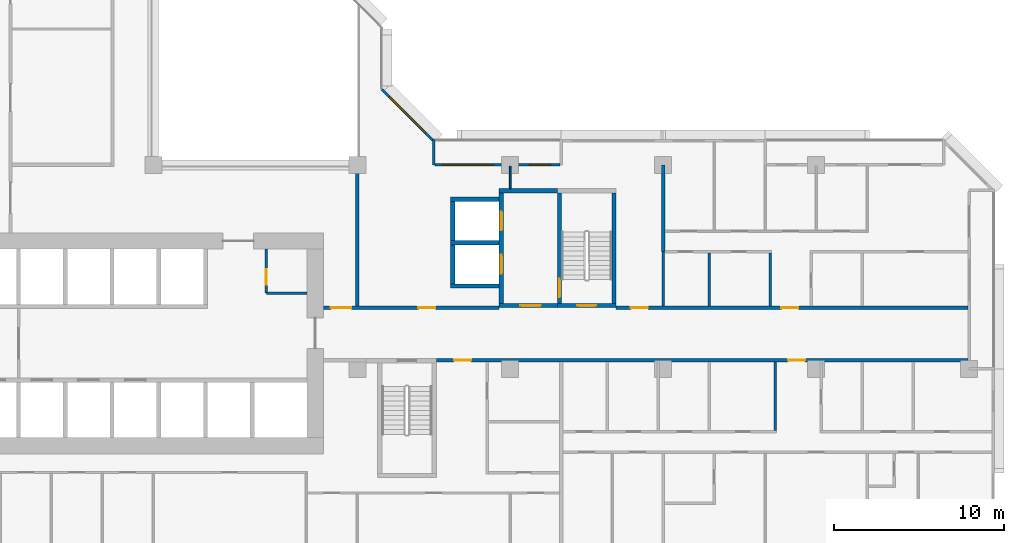
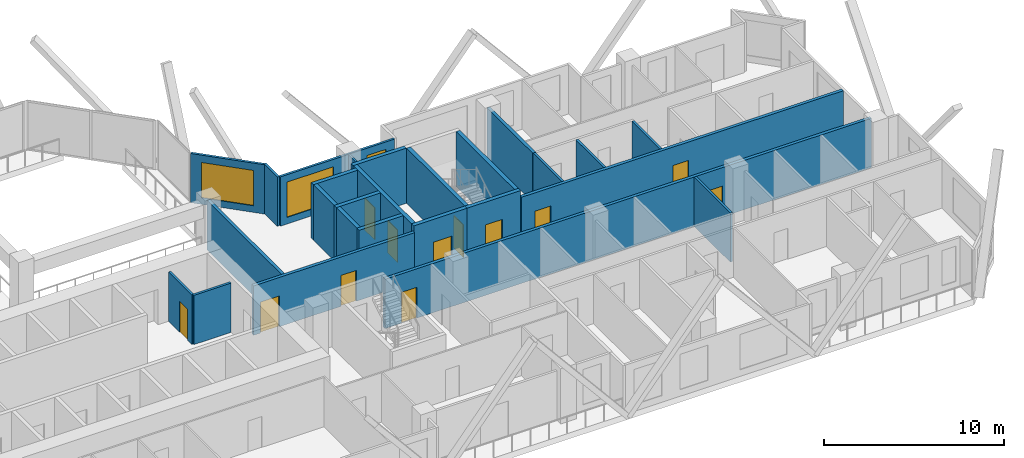
# One storey, part 7 of 15: 26 walls, 12 doors, 3 windows, 15 openings.
"""IFC4 building model written with IfcOpenShell, lengths in metres."""

from ifc_helpers import new_model, si_unit, direction, frame, frame_2d, origin, place, context, subcontext, project, spatial, rectangle, extrude, material, layer, layer_set, type_object, element, fill, save


model = new_model("IFC4")

# Units and contexts
model_context = context("Model", 3, precision=1e-05, world=origin(), true_north=direction((0.0, 1.0)))
body_context = subcontext(model_context, "Body", "Model", "MODEL_VIEW")
ifc_project = project(units=[si_unit("LENGTHUNIT", "METRE"), si_unit("AREAUNIT", "SQUARE_METRE"), si_unit("VOLUMEUNIT", "CUBIC_METRE"), si_unit("PLANEANGLEUNIT", "RADIAN"), si_unit("MASSUNIT", "GRAM", prefix="KILO")], contexts=[model_context])

# Site, building, storey
site_placement = place(None, origin())
site = spatial("IfcSite", under=ifc_project, at=site_placement, CompositionType="ELEMENT")
building_placement = place(site_placement, origin())
building = spatial("IfcBuilding", under=site, at=building_placement, Name="Chenar Terraces", CompositionType="ELEMENT")
storey_placement = place(building_placement, frame((0.0, 0.0, 114.39990234375)))
storey = spatial("IfcBuildingStorey", under=building, at=storey_placement, Name="L26", CompositionType="ELEMENT", Elevation=114.39990234375)

# Wall, opening, door
ifc_material_1 = material(Name="Gypsum board on steel studs", Category="steel")
ifc_layer_1 = layer(ifc_material_1, 0.14990234375)
ifc_layer_set_1 = layer_set([ifc_layer_1], Name="Gypsum board on steel studs")
wall_type_1 = type_object("IfcWallType", Name="Core partition 150 gypsum board", PredefinedType="PARTITIONING", material=ifc_layer_set_1)
wall_1_placement = place(storey_placement, frame((30.64990234375, 16.449951171875, 0.0), z_axis=(0.0, 0.0, 1.0), x_axis=(0.0, 1.0, 0.0)))
wall_1 = element("IfcWall", 1, at=wall_1_placement, inside=storey, type_object=wall_type_1, Name="Core partition CP1 vestibule room west wall", PredefinedType="PARTITIONING", context=body_context, shape_type="SweptSolid", body=[
    extrude(rectangle(XDim=2.60009765625, YDim=0.14990234375, at=frame_2d((1.300048828125, 0.0))), origin(), (0.0, 0.0, 1.0), 3.35009765625),
])
opening_1_placement = place(wall_1_placement, frame((0.5, 0.0, 0.0)))
opening_1 = element("IfcOpeningElement", 2, at=opening_1_placement, cuts=wall_1, Name="Opening DL26-C13", PredefinedType="OPENING", context=body_context, shape_type="SweptSolid", body=[
    extrude(rectangle(XDim=0.89990234375, YDim=2.10009765625, at=frame_2d((0.449951171875, 1.050048828125))), frame((0.0, 0.0849609375, 0.0), z_axis=(0.0, -1.0, 0.0), x_axis=(1.0, 0.0, 0.0)), (0.0, 0.0, 1.0), 0.169921875),
])
ifc_material_2 = material(Name="Steel-framed fire-resisting door leaf", Category="steel")
door_type_1 = type_object("IfcDoorType", Name="Riser fire door FD60 900 x 2100", OperationType="SINGLE_SWING_LEFT", PredefinedType="DOOR", material=ifc_material_2)
door_1_placement = place(opening_1_placement, frame((0.89990234375, 0.0, 0.0), z_axis=(0.0, 0.0, 1.0), x_axis=(-1.0, 0.0, 0.0)))
door_1 = element("IfcDoor", 3, at=door_1_placement, inside=storey, type_object=door_type_1, Name="Core room door DL26-C13", OperationType="SINGLE_SWING_RIGHT", OverallHeight=2.10009765625, OverallWidth=0.89990234375, PredefinedType="DOOR", context=body_context, shape_type="SweptSolid", body=[
    extrude(rectangle(XDim=0.89990234375, YDim=2.10009765625, at=frame_2d((0.449951171875, 1.050048828125))), frame((0.0, 0.02490234375, 0.0), z_axis=(0.0, -1.0, 0.0), x_axis=(1.0, 0.0, 0.0)), (0.0, 0.0, 1.0), 0.050048828125),
])
fill(opening_1, door_1)

# Wall
wall_2_placement = place(storey_placement, frame((30.64990234375, 16.449951171875, 0.0), z_axis=(0.0, 0.0, 1.0), x_axis=(1.0, 0.0, 0.0)))
element("IfcWall", 4, at=wall_2_placement, inside=storey, type_object=wall_type_1, Name="Core partition CP1 vestibule room south wall", PredefinedType="PARTITIONING", context=body_context, shape_type="SweptSolid", body=[
    extrude(rectangle(XDim=2.400146484375, YDim=0.14990234375, at=frame_2d((1.2001953125, 0.0))), origin(), (0.0, 0.0, 1.0), 3.35009765625),
])

# Wall, opening, door
ifc_material_3 = material(Name="Concrete C70/85", Category="concrete")
ifc_layer_2 = layer(ifc_material_3, 0.25)
ifc_layer_set_2 = layer_set([ifc_layer_2], Name="Concrete C70/85")
wall_type_2 = type_object("IfcWallType", Name="Core wall 250 Concrete C70/85", PredefinedType="SHEAR", material=ifc_layer_set_2)
wall_3_placement = place(storey_placement, frame((47.77490234375, 15.72509765625, 0.0), z_axis=(0.0, 0.0, 1.0), x_axis=(1.0, 0.0, 0.0)))
wall_3 = element("IfcWall", 5, at=wall_3_placement, inside=storey, type_object=wall_type_2, Name="Core wall ST3_S L26", PredefinedType="SHEAR", context=body_context, shape_type="SweptSolid", body=[
    extrude(rectangle(XDim=3.4501953125, YDim=0.25, at=frame_2d((1.72509765625, 0.0))), origin(), (0.0, 0.0, 1.0), 3.75),
])
opening_2_placement = place(wall_3_placement, frame((1.175048828125, 0.0, 0.0)))
opening_2 = element("IfcOpeningElement", 6, at=opening_2_placement, cuts=wall_3, Name="Opening DL26-C8", PredefinedType="OPENING", context=body_context, shape_type="SweptSolid", body=[
    extrude(rectangle(XDim=1.10009765625, YDim=2.199951171875, at=frame_2d((0.550048828125, 1.10009765625))), frame((0.0, 0.135009765625, 0.0), z_axis=(0.0, -1.0, 0.0), x_axis=(1.0, 0.0, 0.0)), (0.0, 0.0, 1.0), 0.27001953125),
])
ifc_material_4 = material(Name="Steel-framed fire-resisting door leaf", Category="steel")
door_type_2 = type_object("IfcDoorType", Name="Stair fire door FD60 1100 x 2200", OperationType="SINGLE_SWING_LEFT", PredefinedType="DOOR", material=ifc_material_4)
door_2_placement = place(opening_2_placement, frame((1.10009765625, 0.0, 0.0), z_axis=(0.0, 0.0, 1.0), x_axis=(-1.0, 0.0, 0.0)))
door_2 = element("IfcDoor", 7, at=door_2_placement, inside=storey, type_object=door_type_2, Name="Stair door DL26-C8", OperationType="SINGLE_SWING_LEFT", OverallHeight=2.199951171875, OverallWidth=1.10009765625, PredefinedType="DOOR", context=body_context, shape_type="SweptSolid", body=[
    extrude(rectangle(XDim=1.10009765625, YDim=2.199951171875, at=frame_2d((0.550048828125, 1.10009765625))), frame((0.0, 0.02490234375, 0.0), z_axis=(0.0, -1.0, 0.0), x_axis=(1.0, 0.0, 0.0)), (0.0, 0.0, 1.0), 0.050048828125),
])
fill(opening_2, door_2)

wall_4_placement = place(storey_placement, frame((47.89990234375, 15.85009765625, 0.0), z_axis=(0.0, 0.0, 1.0), x_axis=(0.0, 1.0, 0.0)))
wall_4 = element("IfcWall", 8, at=wall_4_placement, inside=storey, type_object=wall_type_2, Name="Core wall ST3_W L26", PredefinedType="SHEAR", context=body_context, shape_type="SweptSolid", body=[
    extrude(rectangle(XDim=6.5, YDim=0.25, at=frame_2d((3.25, 0.0))), origin(), (0.0, 0.0, 1.0), 3.75),
])
opening_3_placement = place(wall_4_placement, frame((0.35009765625, 0.0, 0.0)))
opening_3 = element("IfcOpeningElement", 9, at=opening_3_placement, cuts=wall_4, Name="Opening DL26-C11", PredefinedType="OPENING", context=body_context, shape_type="SweptSolid", body=[
    extrude(rectangle(XDim=1.10009765625, YDim=2.199951171875, at=frame_2d((0.550048828125, 1.10009765625))), frame((0.0, 0.135009765625, 0.0), z_axis=(0.0, -1.0, 0.0), x_axis=(1.0, 0.0, 0.0)), (0.0, 0.0, 1.0), 0.27001953125),
])
door_3_placement = place(opening_3_placement, frame((1.10009765625, 0.0, 0.0), z_axis=(0.0, 0.0, 1.0), x_axis=(-1.0, 0.0, 0.0)))
door_3 = element("IfcDoor", 10, at=door_3_placement, inside=storey, type_object=door_type_2, Name="Stair door DL26-C11", OperationType="SINGLE_SWING_RIGHT", OverallHeight=2.199951171875, OverallWidth=1.10009765625, PredefinedType="DOOR", context=body_context, shape_type="SweptSolid", body=[
    extrude(rectangle(XDim=1.10009765625, YDim=2.199951171875, at=frame_2d((0.550048828125, 1.10009765625))), frame((0.0, 0.02490234375, 0.0), z_axis=(0.0, -1.0, 0.0), x_axis=(1.0, 0.0, 0.0)), (0.0, 0.0, 1.0), 0.050048828125),
])
fill(opening_3, door_3)

# Wall
wall_5_placement = place(storey_placement, frame((51.10009765625, 15.85009765625, 0.0), z_axis=(0.0, 0.0, 1.0), x_axis=(0.0, 1.0, 0.0)))
element("IfcWall", 11, at=wall_5_placement, inside=storey, type_object=wall_type_2, Name="Core wall ST3_E L26", PredefinedType="SHEAR", context=body_context, shape_type="SweptSolid", body=[
    extrude(rectangle(XDim=6.5, YDim=0.25, at=frame_2d((3.25, 0.0))), origin(), (0.0, 0.0, 1.0), 3.75),
])

# Wall, opening, door
wall_6_placement = place(storey_placement, frame((44.35009765625, 15.72509765625, 0.0), z_axis=(0.0, 0.0, 1.0), x_axis=(1.0, 0.0, 0.0)))
wall_6 = element("IfcWall", 12, at=wall_6_placement, inside=storey, type_object=wall_type_2, Name="Core wall F3_LS L26", PredefinedType="SHEAR", context=body_context, shape_type="SweptSolid", body=[
    extrude(rectangle(XDim=3.4248046875, YDim=0.25, at=frame_2d((1.71240234375, 0.0))), origin(), (0.0, 0.0, 1.0), 3.75),
])
opening_4_placement = place(wall_6_placement, frame((1.25, 0.0, 0.0)))
opening_4 = element("IfcOpeningElement", 13, at=opening_4_placement, cuts=wall_6, Name="Opening DL26-C10", PredefinedType="OPENING", context=body_context, shape_type="SweptSolid", body=[
    extrude(rectangle(XDim=1.199951171875, YDim=2.199951171875, at=frame_2d((0.60009765625, 1.10009765625))), frame((0.0, 0.135009765625, 0.0), z_axis=(0.0, -1.0, 0.0), x_axis=(1.0, 0.0, 0.0)), (0.0, 0.0, 1.0), 0.27001953125),
])
ifc_material_5 = material(Name="Steel-framed fire-resisting door leaf", Category="steel")
door_type_3 = type_object("IfcDoorType", Name="Lobby fire door FD60 1200 x 2200", OperationType="SINGLE_SWING_LEFT", PredefinedType="DOOR", material=ifc_material_5)
door_4_placement = place(opening_4_placement, origin())
door_4 = element("IfcDoor", 14, at=door_4_placement, inside=storey, type_object=door_type_3, Name="Core door DL26-C10", OperationType="SINGLE_SWING_RIGHT", OverallHeight=2.199951171875, OverallWidth=1.199951171875, PredefinedType="DOOR", context=body_context, shape_type="SweptSolid", body=[
    extrude(rectangle(XDim=1.199951171875, YDim=2.199951171875, at=frame_2d((0.60009765625, 1.10009765625))), frame((0.0, 0.02490234375, 0.0), z_axis=(0.0, -1.0, 0.0), x_axis=(1.0, 0.0, 0.0)), (0.0, 0.0, 1.0), 0.050048828125),
])
fill(opening_4, door_4)

# Wall
wall_7_placement = place(storey_placement, frame((44.35009765625, 22.47509765625, 0.0), z_axis=(0.0, 0.0, 1.0), x_axis=(1.0, 0.0, 0.0)))
element("IfcWall", 15, at=wall_7_placement, inside=storey, type_object=wall_type_2, Name="Core wall F3_LN L26", PredefinedType="SHEAR", context=body_context, shape_type="SweptSolid", body=[
    extrude(rectangle(XDim=3.4248046875, YDim=0.25, at=frame_2d((1.71240234375, 0.0))), origin(), (0.0, 0.0, 1.0), 3.75),
])

# Wall, openings, doors
wall_8_placement = place(storey_placement, frame((44.47509765625, 15.85009765625, 0.0), z_axis=(0.0, 0.0, 1.0), x_axis=(0.0, 1.0, 0.0)))
wall_8 = element("IfcWall", 16, at=wall_8_placement, inside=storey, type_object=wall_type_2, Name="Core wall F3_LW L26", PredefinedType="SHEAR", context=body_context, shape_type="SweptSolid", body=[
    extrude(rectangle(XDim=6.5, YDim=0.25, at=frame_2d((3.25, 0.0))), origin(), (0.0, 0.0, 1.0), 3.75),
])
opening_5_placement = place(wall_8_placement, frame((1.75, 0.0, 0.0)))
opening_5 = element("IfcOpeningElement", 17, at=opening_5_placement, cuts=wall_8, Name="Opening DL26-LD8", PredefinedType="OPENING", context=body_context, shape_type="SweptSolid", body=[
    extrude(rectangle(XDim=1.10009765625, YDim=2.199951171875, at=frame_2d((0.550048828125, 1.10009765625))), frame((0.0, 0.135009765625, 0.0), z_axis=(0.0, -1.0, 0.0), x_axis=(1.0, 0.0, 0.0)), (0.0, 0.0, 1.0), 0.27001953125),
])
opening_6_placement = place(wall_8_placement, frame((4.300048828125, 0.0, 0.0)))
opening_6 = element("IfcOpeningElement", 18, at=opening_6_placement, cuts=wall_8, Name="Opening DL26-LD9", PredefinedType="OPENING", context=body_context, shape_type="SweptSolid", body=[
    extrude(rectangle(XDim=1.10009765625, YDim=2.199951171875, at=frame_2d((0.550048828125, 1.10009765625))), frame((0.0, 0.135009765625, 0.0), z_axis=(0.0, -1.0, 0.0), x_axis=(1.0, 0.0, 0.0)), (0.0, 0.0, 1.0), 0.27001953125),
])
ifc_material_6 = material(Name="Stainless steel", Category="steel")
door_type_4 = type_object("IfcDoorType", Name="Lift landing door 1100 x 2200 sliding", OperationType="DOUBLE_DOOR_SLIDING", PredefinedType="DOOR", material=ifc_material_6)
door_5_placement = place(opening_5_placement, origin())
door_5 = element("IfcDoor", 19, at=door_5_placement, inside=storey, type_object=door_type_4, Name="Landing door F3", OperationType="DOUBLE_DOOR_SLIDING", OverallHeight=2.199951171875, OverallWidth=1.10009765625, PredefinedType="DOOR", context=body_context, shape_type="SweptSolid", body=[
    extrude(rectangle(XDim=1.10009765625, YDim=2.199951171875, at=frame_2d((0.550048828125, 1.10009765625))), frame((0.0, 0.02490234375, 0.0), z_axis=(0.0, -1.0, 0.0), x_axis=(1.0, 0.0, 0.0)), (0.0, 0.0, 1.0), 0.050048828125),
])
fill(opening_5, door_5)
door_6_placement = place(opening_6_placement, origin())
door_6 = element("IfcDoor", 20, at=door_6_placement, inside=storey, type_object=door_type_4, Name="Landing door F4", OperationType="DOUBLE_DOOR_SLIDING", OverallHeight=2.199951171875, OverallWidth=1.10009765625, PredefinedType="DOOR", context=body_context, shape_type="SweptSolid", body=[
    extrude(rectangle(XDim=1.10009765625, YDim=2.199951171875, at=frame_2d((0.550048828125, 1.10009765625))), frame((0.0, 0.02490234375, 0.0), z_axis=(0.0, -1.0, 0.0), x_axis=(1.0, 0.0, 0.0)), (0.0, 0.0, 1.0), 0.050048828125),
])
fill(opening_6, door_6)

# Walls
for number, where, z_axis, x_axis, name in (
    (21, (41.5, 16.875, 0.0), (0.0, 0.0, 1.0), (1.0, 0.0, 0.0), "Core wall F3_SS L26"),
    (22, (41.5, 19.425048828125, 0.0), (0.0, 0.0, 1.0), (1.0, 0.0, 0.0), "Core wall F3_SM L26"),
    (23, (41.5, 21.97509765625, 0.0), (0.0, 0.0, 1.0), (1.0, 0.0, 0.0), "Core wall F4_SN L26"),
):
    element("IfcWall", number, at=place(storey_placement, frame(where, z_axis=z_axis, x_axis=x_axis)), inside=storey, type_object=wall_type_2, Name=name, PredefinedType="SHEAR", context=body_context, shape_type="SweptSolid", body=[
        extrude(rectangle(XDim=2.85009765625, YDim=0.25, at=frame_2d((1.425048828125, 0.0))), origin(), (0.0, 0.0, 1.0), 3.75),
    ])
for number, where, z_axis, x_axis, name in (
    (24, (41.625, 17.0, 0.0), (0.0, 0.0, 1.0), (0.0, 1.0, 0.0), "Core wall F3_SW L26"),
    (25, (41.625, 19.550048828125, 0.0), (0.0, 0.0, 1.0), (0.0, 1.0, 0.0), "Core wall F4_SW L26"),
):
    element("IfcWall", number, at=place(storey_placement, frame(where, z_axis=z_axis, x_axis=x_axis)), inside=storey, type_object=wall_type_2, Name=name, PredefinedType="SHEAR", context=body_context, shape_type="SweptSolid", body=[
        extrude(rectangle(XDim=2.300048828125, YDim=0.25, at=frame_2d((1.14990234375, 0.0))), origin(), (0.0, 0.0, 1.0), 3.75),
    ])

# Wall, openings, doors
ifc_material_7 = material(Name="Gypsum board on steel studs with fire boards", Category="steel")
ifc_layer_3 = layer(ifc_material_7, 0.199951171875)
ifc_layer_set_3 = layer_set([ifc_layer_3], Name="Gypsum board on steel studs with fire boards")
wall_type_3 = type_object("IfcWallType", Name="Corridor wall 200", PredefinedType="PARTITIONING", material=ifc_layer_set_3)
wall_9_placement = place(storey_placement, frame((34.0, 15.60009765625, 0.0), z_axis=(0.0, 0.0, 1.0), x_axis=(1.0, 0.0, 0.0)))
wall_9 = element("IfcWall", 26, at=wall_9_placement, inside=storey, type_object=wall_type_3, Name="Partition L26-061", PredefinedType="PARTITIONING", context=body_context, shape_type="SweptSolid", body=[
    extrude(rectangle(XDim=10.35009765625, YDim=0.199951171875, at=frame_2d((5.175048828125, 0.0))), origin(), (0.0, 0.0, 1.0), 3.35009765625),
])
opening_7_placement = place(wall_9_placement, frame((5.60009765625, 0.0, 0.0)))
opening_7 = element("IfcOpeningElement", 27, at=opening_7_placement, cuts=wall_9, Name="Opening DL26-3", PredefinedType="OPENING", context=body_context, shape_type="SweptSolid", body=[
    extrude(rectangle(XDim=1.0, YDim=2.10009765625, at=frame_2d((0.5, 1.050048828125))), frame((0.0, 0.10986328125, 0.0), z_axis=(0.0, -1.0, 0.0), x_axis=(1.0, 0.0, 0.0)), (0.0, 0.0, 1.0), 0.219970703125),
])
opening_8_placement = place(wall_9_placement, frame((0.449951171875, 0.0, 0.0)))
opening_8 = element("IfcOpeningElement", 28, at=opening_8_placement, cuts=wall_9, Name="Opening DL26-52", PredefinedType="OPENING", context=body_context, shape_type="SweptSolid", body=[
    extrude(rectangle(XDim=1.199951171875, YDim=2.10009765625, at=frame_2d((0.60009765625, 1.050048828125))), frame((0.0, 0.10986328125, 0.0), z_axis=(0.0, -1.0, 0.0), x_axis=(1.0, 0.0, 0.0)), (0.0, 0.0, 1.0), 0.219970703125),
])
ifc_material_8 = material(Name="Steel-framed fire-resisting door leaf", Category="steel")
door_type_5 = type_object("IfcDoorType", Name="Fire door FD60 1000 x 2100", OperationType="SINGLE_SWING_LEFT", PredefinedType="DOOR", material=ifc_material_8)
door_7_placement = place(opening_7_placement, origin())
door_7 = element("IfcDoor", 29, at=door_7_placement, inside=storey, type_object=door_type_5, Name="Door DL26-3", OperationType="SINGLE_SWING_RIGHT", OverallHeight=2.10009765625, OverallWidth=1.0, PredefinedType="DOOR", context=body_context, shape_type="SweptSolid", body=[
    extrude(rectangle(XDim=1.0, YDim=2.10009765625, at=frame_2d((0.5, 1.050048828125))), frame((0.0, 0.02490234375, 0.0), z_axis=(0.0, -1.0, 0.0), x_axis=(1.0, 0.0, 0.0)), (0.0, 0.0, 1.0), 0.050048828125),
])
fill(opening_7, door_7)
ifc_material_9 = material(Name="Steel-framed fire-resisting door leaf", Category="steel")
door_type_6 = type_object("IfcDoorType", Name="Fire door FD60 1200 x 2100", OperationType="SINGLE_SWING_LEFT", PredefinedType="DOOR", material=ifc_material_9)
door_8_placement = place(opening_8_placement, origin())
door_8 = element("IfcDoor", 30, at=door_8_placement, inside=storey, type_object=door_type_6, Name="Door DL26-52", OperationType="SINGLE_SWING_RIGHT", OverallHeight=2.10009765625, OverallWidth=1.199951171875, PredefinedType="DOOR", context=body_context, shape_type="SweptSolid", body=[
    extrude(rectangle(XDim=1.199951171875, YDim=2.10009765625, at=frame_2d((0.60009765625, 1.050048828125))), frame((0.0, 0.02490234375, 0.0), z_axis=(0.0, -1.0, 0.0), x_axis=(1.0, 0.0, 0.0)), (0.0, 0.0, 1.0), 0.050048828125),
])
fill(opening_8, door_8)

# Wall
wall_10_placement = place(storey_placement, frame((36.0, 15.699951171875, 0.0), z_axis=(0.0, 0.0, 1.0), x_axis=(0.0, 1.0, 0.0)))
element("IfcWall", 31, at=wall_10_placement, inside=storey, type_object=wall_type_3, Name="Partition L26-063", PredefinedType="PARTITIONING", context=body_context, shape_type="SweptSolid", body=[
    extrude(rectangle(XDim=8.300048828125, YDim=0.199951171875, at=frame_2d((4.14990234375, 0.0))), origin(), (0.0, 0.0, 1.0), 3.35009765625),
])

# Wall, openings, doors
wall_11_placement = place(storey_placement, frame((40.64990234375, 12.5, 0.0), z_axis=(0.0, 0.0, 1.0), x_axis=(1.0, 0.0, 0.0)))
wall_11 = element("IfcWall", 32, at=wall_11_placement, inside=storey, type_object=wall_type_3, Name="Partition L26-064", PredefinedType="PARTITIONING", context=body_context, shape_type="SweptSolid", body=[
    extrude(rectangle(XDim=31.276123046875, YDim=0.199951171875, at=frame_2d((15.63818359375, 0.0))), origin(), (0.0, 0.0, 1.0), 3.35009765625),
])
opening_9_placement = place(wall_11_placement, frame((20.699951171875, 0.0, 0.0)))
opening_9 = element("IfcOpeningElement", 33, at=opening_9_placement, cuts=wall_11, Name="Opening DL26-18", PredefinedType="OPENING", context=body_context, shape_type="SweptSolid", body=[
    extrude(rectangle(XDim=1.0, YDim=2.10009765625, at=frame_2d((0.5, 1.050048828125))), frame((0.0, 0.10986328125, 0.0), z_axis=(0.0, -1.0, 0.0), x_axis=(1.0, 0.0, 0.0)), (0.0, 0.0, 1.0), 0.219970703125),
])
opening_10_placement = place(wall_11_placement, frame((1.050048828125, 0.0, 0.0)))
opening_10 = element("IfcOpeningElement", 34, at=opening_10_placement, cuts=wall_11, Name="Opening DL26-66", PredefinedType="OPENING", context=body_context, shape_type="SweptSolid", body=[
    extrude(rectangle(XDim=1.0, YDim=2.10009765625, at=frame_2d((0.5, 1.050048828125))), frame((0.0, 0.10986328125, 0.0), z_axis=(0.0, -1.0, 0.0), x_axis=(1.0, 0.0, 0.0)), (0.0, 0.0, 1.0), 0.219970703125),
])
ifc_material_10 = material(Name="Steel-framed fire-resisting door leaf", Category="steel")
door_type_7 = type_object("IfcDoorType", Name="Fire door FD30S 1000 x 2100", OperationType="SINGLE_SWING_LEFT", PredefinedType="DOOR", material=ifc_material_10)
door_9_placement = place(opening_9_placement, frame((1.0, 0.0, 0.0), z_axis=(0.0, 0.0, 1.0), x_axis=(-1.0, 0.0, 0.0)))
door_9 = element("IfcDoor", 35, at=door_9_placement, inside=storey, type_object=door_type_7, Name="Door DL26-18", OperationType="SINGLE_SWING_LEFT", OverallHeight=2.10009765625, OverallWidth=1.0, PredefinedType="DOOR", context=body_context, shape_type="SweptSolid", body=[
    extrude(rectangle(XDim=1.0, YDim=2.10009765625, at=frame_2d((0.5, 1.050048828125))), frame((0.0, 0.02490234375, 0.0), z_axis=(0.0, -1.0, 0.0), x_axis=(1.0, 0.0, 0.0)), (0.0, 0.0, 1.0), 0.050048828125),
])
fill(opening_9, door_9)
door_10_placement = place(opening_10_placement, origin())
door_10 = element("IfcDoor", 36, at=door_10_placement, inside=storey, type_object=door_type_7, Name="Door DL26-66", OperationType="SINGLE_SWING_RIGHT", OverallHeight=2.10009765625, OverallWidth=1.0, PredefinedType="DOOR", context=body_context, shape_type="SweptSolid", body=[
    extrude(rectangle(XDim=1.0, YDim=2.10009765625, at=frame_2d((0.5, 1.050048828125))), frame((0.0, 0.02490234375, 0.0), z_axis=(0.0, -1.0, 0.0), x_axis=(1.0, 0.0, 0.0)), (0.0, 0.0, 1.0), 0.050048828125),
])
fill(opening_10, door_10)

wall_12_placement = place(storey_placement, frame((51.22509765625, 15.60009765625, 0.0), z_axis=(0.0, 0.0, 1.0), x_axis=(1.0, 0.0, 0.0)))
wall_12 = element("IfcWall", 37, at=wall_12_placement, inside=storey, type_object=wall_type_3, Name="Partition L26-075", PredefinedType="PARTITIONING", context=body_context, shape_type="SweptSolid", body=[
    extrude(rectangle(XDim=20.700927734375, YDim=0.199951171875, at=frame_2d((10.3505859375, 0.0))), origin(), (0.0, 0.0, 1.0), 3.35009765625),
])
opening_11_placement = place(wall_12_placement, frame((9.72509765625, 0.0, 0.0)))
opening_11 = element("IfcOpeningElement", 38, at=opening_11_placement, cuts=wall_12, Name="Opening DL26-10", PredefinedType="OPENING", context=body_context, shape_type="SweptSolid", body=[
    extrude(rectangle(XDim=1.0, YDim=2.10009765625, at=frame_2d((0.5, 1.050048828125))), frame((0.0, 0.10986328125, 0.0), z_axis=(0.0, -1.0, 0.0), x_axis=(1.0, 0.0, 0.0)), (0.0, 0.0, 1.0), 0.219970703125),
])
opening_12_placement = place(wall_12_placement, frame((0.875, 0.0, 0.0)))
opening_12 = element("IfcOpeningElement", 39, at=opening_12_placement, cuts=wall_12, Name="Opening DL26-55", PredefinedType="OPENING", context=body_context, shape_type="SweptSolid", body=[
    extrude(rectangle(XDim=1.0, YDim=2.10009765625, at=frame_2d((0.5, 1.050048828125))), frame((0.0, 0.10986328125, 0.0), z_axis=(0.0, -1.0, 0.0), x_axis=(1.0, 0.0, 0.0)), (0.0, 0.0, 1.0), 0.219970703125),
])
door_11_placement = place(opening_11_placement, origin())
door_11 = element("IfcDoor", 40, at=door_11_placement, inside=storey, type_object=door_type_7, Name="Door DL26-10", OperationType="SINGLE_SWING_LEFT", OverallHeight=2.10009765625, OverallWidth=1.0, PredefinedType="DOOR", context=body_context, shape_type="SweptSolid", body=[
    extrude(rectangle(XDim=1.0, YDim=2.10009765625, at=frame_2d((0.5, 1.050048828125))), frame((0.0, 0.02490234375, 0.0), z_axis=(0.0, -1.0, 0.0), x_axis=(1.0, 0.0, 0.0)), (0.0, 0.0, 1.0), 0.050048828125),
])
fill(opening_11, door_11)
door_12_placement = place(opening_12_placement, origin())
door_12 = element("IfcDoor", 41, at=door_12_placement, inside=storey, type_object=door_type_7, Name="Door DL26-55", OperationType="SINGLE_SWING_RIGHT", OverallHeight=2.10009765625, OverallWidth=1.0, PredefinedType="DOOR", context=body_context, shape_type="SweptSolid", body=[
    extrude(rectangle(XDim=1.0, YDim=2.10009765625, at=frame_2d((0.5, 1.050048828125))), frame((0.0, 0.02490234375, 0.0), z_axis=(0.0, -1.0, 0.0), x_axis=(1.0, 0.0, 0.0)), (0.0, 0.0, 1.0), 0.050048828125),
])
fill(opening_12, door_12)

# Wall, openings, windows
ifc_material_11 = material(Name="Aluminium framed glazing", Category="aluminium")
ifc_layer_4 = layer(ifc_material_11, 0.14990234375)
ifc_layer_set_4 = layer_set([ifc_layer_4], Name="Aluminium framed glazing")
wall_type_4 = type_object("IfcWallType", Name="Glazed loggia back wall 150", PredefinedType="SOLIDWALL", material=ifc_layer_set_4)
wall_13_placement = place(storey_placement, frame((47.925048828125, 24.0, 0.0), z_axis=(0.0, 0.0, 1.0), x_axis=(-1.0, 0.0, 0.0)))
wall_13 = element("IfcWall", 42, at=wall_13_placement, inside=storey, type_object=wall_type_4, Name="Glazed loggia back wall", PredefinedType="SOLIDWALL", context=body_context, shape_type="SweptSolid", body=[
    extrude(rectangle(XDim=7.35009765625, YDim=0.14990234375, at=frame_2d((3.675048828125, 0.0))), origin(), (0.0, 0.0, 1.0), 3.35009765625),
])
opening_13_placement = place(wall_13_placement, frame((0.5625, 0.0, 0.449951171875)))
opening_13 = element("IfcOpeningElement", 43, at=opening_13_placement, cuts=wall_13, Name="Opening W120x240", PredefinedType="OPENING", context=body_context, shape_type="SweptSolid", body=[
    extrude(rectangle(XDim=1.199951171875, YDim=2.39990234375, at=frame_2d((0.60009765625, 1.199951171875))), frame((0.0, 0.0849609375, 0.0), z_axis=(0.0, -1.0, 0.0), x_axis=(1.0, 0.0, 0.0)), (0.0, 0.0, 1.0), 0.169921875),
])
opening_14_placement = place(wall_13_placement, frame((3.9375, 0.0, 0.449951171875)))
opening_14 = element("IfcOpeningElement", 44, at=opening_14_placement, cuts=wall_13, Name="Opening W300x240", PredefinedType="OPENING", context=body_context, shape_type="SweptSolid", body=[
    extrude(rectangle(XDim=3.0, YDim=2.39990234375, at=frame_2d((1.5, 1.199951171875))), frame((0.0, 0.0849609375, 0.0), z_axis=(0.0, -1.0, 0.0), x_axis=(1.0, 0.0, 0.0)), (0.0, 0.0, 1.0), 0.169921875),
])
ifc_material_12 = material(Name="Low emissivity double glazing, aluminium frame", Category="aluminium")
window_type_1 = type_object("IfcWindowType", Name="Fixed light 1200 x 2400", PartitioningType="SINGLE_PANEL", PredefinedType="WINDOW", material=ifc_material_12)
window_1_placement = place(opening_13_placement, origin())
window_1 = element("IfcWindow", 45, at=window_1_placement, inside=storey, type_object=window_type_1, Name="Window", OverallHeight=2.39990234375, OverallWidth=1.199951171875, PartitioningType="SINGLE_PANEL", PredefinedType="WINDOW", context=body_context, shape_type="SweptSolid", body=[
    extrude(rectangle(XDim=1.199951171875, YDim=2.39990234375, at=frame_2d((0.60009765625, 1.199951171875))), frame((0.0, 0.030029296875, 0.0), z_axis=(0.0, -1.0, 0.0), x_axis=(1.0, 0.0, 0.0)), (0.0, 0.0, 1.0), 0.06005859375),
])
fill(opening_13, window_1)
ifc_material_13 = material(Name="Low emissivity double glazing, aluminium frame", Category="aluminium")
window_type_2 = type_object("IfcWindowType", Name="Fixed light 3000 x 2400", PartitioningType="SINGLE_PANEL", PredefinedType="WINDOW", material=ifc_material_13)
window_2_placement = place(opening_14_placement, origin())
window_2 = element("IfcWindow", 46, at=window_2_placement, inside=storey, type_object=window_type_2, Name="Window", OverallHeight=2.39990234375, OverallWidth=3.0, PartitioningType="SINGLE_PANEL", PredefinedType="WINDOW", context=body_context, shape_type="SweptSolid", body=[
    extrude(rectangle(XDim=3.0, YDim=2.39990234375, at=frame_2d((1.5, 1.199951171875))), frame((0.0, 0.030029296875, 0.0), z_axis=(0.0, -1.0, 0.0), x_axis=(1.0, 0.0, 0.0)), (0.0, 0.0, 1.0), 0.06005859375),
])
fill(opening_14, window_2)

# Walls
ifc_material_14 = material(Name="Gypsum board on steel studs", Category="steel")
ifc_layer_5 = layer(ifc_material_14, 0.10009765625)
ifc_layer_set_5 = layer_set([ifc_layer_5], Name="Gypsum board on steel studs")
wall_type_5 = type_object("IfcWallType", Name="Gypsum partition 100", PredefinedType="PARTITIONING", material=ifc_layer_set_5)
wall_14_placement = place(storey_placement, frame((45.0, 22.60009765625, 0.0), z_axis=(0.0, 0.0, 1.0), x_axis=(0.0, 1.0, 0.0)))
element("IfcWall", 47, at=wall_14_placement, inside=storey, type_object=wall_type_5, Name="Partition L26-069", PredefinedType="PARTITIONING", context=body_context, shape_type="SweptSolid", body=[
    extrude(rectangle(XDim=1.325927734375, YDim=0.10009765625, at=frame_2d((0.6630859375, 0.0))), origin(), (0.0, 0.0, 1.0), 3.35009765625),
])
ifc_material_15 = material(Name="Terracotta cladding on insulated backing", Category="masonry")
ifc_layer_6 = layer(ifc_material_15, 0.14990234375)
ifc_layer_set_6 = layer_set([ifc_layer_6], Name="Terracotta cladding on insulated backing")
wall_type_6 = type_object("IfcWallType", Name="Loggia return wall 150", PredefinedType="SOLIDWALL", material=ifc_layer_set_6)
wall_15_placement = place(storey_placement, frame((40.5, 25.5, 0.0), z_axis=(0.0, 0.0, 1.0), x_axis=(0.0, -1.0, 0.0)))
element("IfcWall", 48, at=wall_15_placement, inside=storey, type_object=wall_type_6, Name="Loggia return wall", PredefinedType="SOLIDWALL", context=body_context, shape_type="SweptSolid", body=[
    extrude(rectangle(XDim=1.5, YDim=0.14990234375, at=frame_2d((0.75, 0.0))), origin(), (0.0, 0.0, 1.0), 3.35009765625),
])

# Wall, opening, window
ifc_material_16 = material(Name="Terracotta cladding on insulated backing", Category="masonry")
ifc_layer_7 = layer(ifc_material_16, 0.14990234375)
ifc_layer_set_7 = layer_set([ifc_layer_7], Name="Terracotta cladding on insulated backing")
wall_type_7 = type_object("IfcWallType", Name="Terracotta rainscreen wall 150", PredefinedType="SOLIDWALL", material=ifc_layer_set_7)
wall_16_placement = place(storey_placement, frame((40.447021484375, 25.447021484375, 0.0), z_axis=(0.0, 0.0, 1.0), x_axis=(-0.707106781187, 0.707106781187, 0.0)))
wall_16 = element("IfcWall", 49, at=wall_16_placement, inside=storey, type_object=wall_type_7, Name="Terracotta rainscreen wall", PredefinedType="SOLIDWALL", context=body_context, shape_type="SweptSolid", body=[
    extrude(rectangle(XDim=4.24267578125, YDim=0.14990234375, at=frame_2d((2.121337890625, 0.0))), origin(), (0.0, 0.0, 1.0), 3.35009765625),
])
opening_15_placement = place(wall_16_placement, frame((0.621337890625, 0.0, 0.449951171875)))
opening_15 = element("IfcOpeningElement", 50, at=opening_15_placement, cuts=wall_16, Name="Opening W300x240", PredefinedType="OPENING", context=body_context, shape_type="SweptSolid", body=[
    extrude(rectangle(XDim=3.0, YDim=2.39990234375, at=frame_2d((1.5, 1.199951171875))), frame((0.0, 0.0849609375, 0.0), z_axis=(0.0, -1.0, 0.0), x_axis=(1.0, 0.0, 0.0)), (0.0, 0.0, 1.0), 0.169921875),
])
window_3_placement = place(opening_15_placement, origin())
window_3 = element("IfcWindow", 51, at=window_3_placement, inside=storey, type_object=window_type_2, Name="Window", OverallHeight=2.39990234375, OverallWidth=3.0, PartitioningType="SINGLE_PANEL", PredefinedType="WINDOW", context=body_context, shape_type="SweptSolid", body=[
    extrude(rectangle(XDim=3.0, YDim=2.39990234375, at=frame_2d((1.5, 1.199951171875))), frame((0.0, 0.030029296875, 0.0), z_axis=(0.0, -1.0, 0.0), x_axis=(1.0, 0.0, 0.0)), (0.0, 0.0, 1.0), 0.06005859375),
])
fill(opening_15, window_3)

# Walls
ifc_material_17 = material(Name="Twin gypsum board on steel studs with mineral wool", Category="steel")
ifc_layer_8 = layer(ifc_material_17, 0.199951171875)
ifc_layer_set_8 = layer_set([ifc_layer_8], Name="Twin gypsum board on steel studs with mineral wool")
wall_type_8 = type_object("IfcWallType", Name="Unit demising wall 200", PredefinedType="PARTITIONING", material=ifc_layer_set_8)
wall_17_placement = place(storey_placement, frame((54.0, 18.89990234375, 0.0), z_axis=(0.0, 0.0, 1.0), x_axis=(0.0, 1.0, 0.0)))
element("IfcWall", 52, at=wall_17_placement, inside=storey, type_object=wall_type_8, Name="Partition L26-079", PredefinedType="PARTITIONING", context=body_context, shape_type="SweptSolid", body=[
    extrude(rectangle(XDim=5.10009765625, YDim=0.199951171875, at=frame_2d((2.550048828125, 0.0))), origin(), (0.0, 0.0, 1.0), 3.35009765625),
])
ifc_material_18 = material(Name="Moisture-resistant gypsum board on steel studs", Category="steel")
ifc_layer_9 = layer(ifc_material_18, 0.14990234375)
ifc_layer_set_9 = layer_set([ifc_layer_9], Name="Moisture-resistant gypsum board on steel studs")
wall_type_9 = type_object("IfcWallType", Name="Wet-room partition 150", PredefinedType="PARTITIONING", material=ifc_layer_set_9)
wall_18_placement = place(storey_placement, frame((54.0, 15.699951171875, 0.0), z_axis=(0.0, 0.0, 1.0), x_axis=(0.0, 1.0, 0.0)))
element("IfcWall", 53, at=wall_18_placement, inside=storey, type_object=wall_type_9, Name="Partition L26-078", PredefinedType="PARTITIONING", context=body_context, shape_type="SweptSolid", body=[
    extrude(rectangle(XDim=3.199951171875, YDim=0.14990234375, at=frame_2d((1.60009765625, 0.0))), origin(), (0.0, 0.0, 1.0), 3.35009765625),
])
for number, where, z_axis, x_axis, name in (
    (54, (56.699951171875, 15.699951171875, 0.0), (0.0, 0.0, 1.0), (0.0, 1.0, 0.0), "Partition L26-084"),
    (55, (60.300048828125, 15.699951171875, 0.0), (0.0, 0.0, 1.0), (0.0, 1.0, 0.0), "Partition L26-089"),
):
    element("IfcWall", number, at=place(storey_placement, frame(where, z_axis=z_axis, x_axis=x_axis)), inside=storey, type_object=wall_type_9, Name=name, PredefinedType="PARTITIONING", context=body_context, shape_type="SweptSolid", body=[
        extrude(rectangle(XDim=3.125, YDim=0.14990234375, at=frame_2d((1.5625, 0.0))), origin(), (0.0, 0.0, 1.0), 3.35009765625),
    ])
wall_19_placement = place(storey_placement, frame((60.60009765625, 8.375, 0.0), z_axis=(0.0, 0.0, 1.0), x_axis=(0.0, 1.0, 0.0)))
element("IfcWall", 56, at=wall_19_placement, inside=storey, type_object=wall_type_9, Name="Partition L26-090", PredefinedType="PARTITIONING", context=body_context, shape_type="SweptSolid", body=[
    extrude(rectangle(XDim=4.02490234375, YDim=0.14990234375, at=frame_2d((2.012451171875, 0.0))), origin(), (0.0, 0.0, 1.0), 3.35009765625),
])

save(model, "model.ifc")
